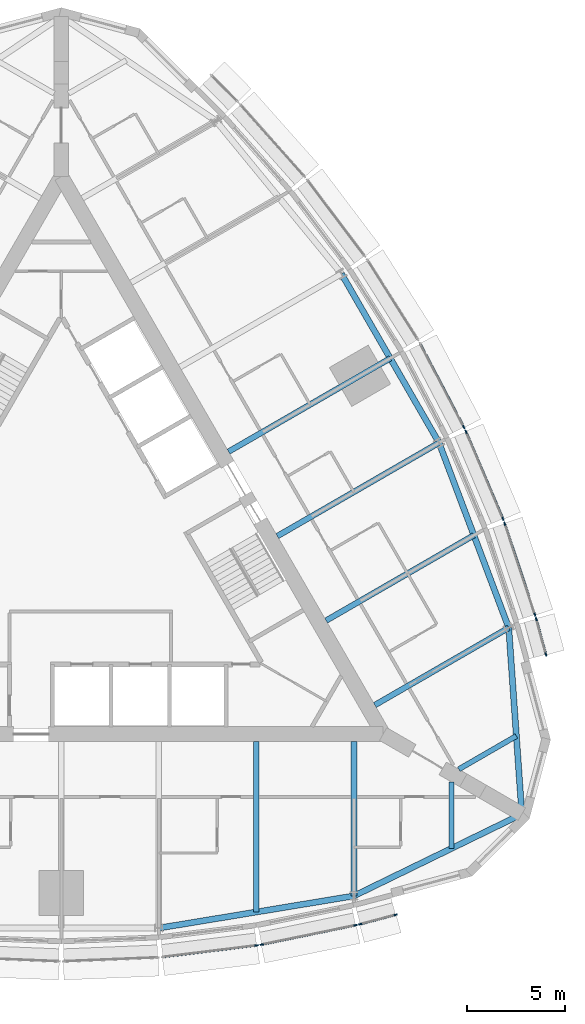
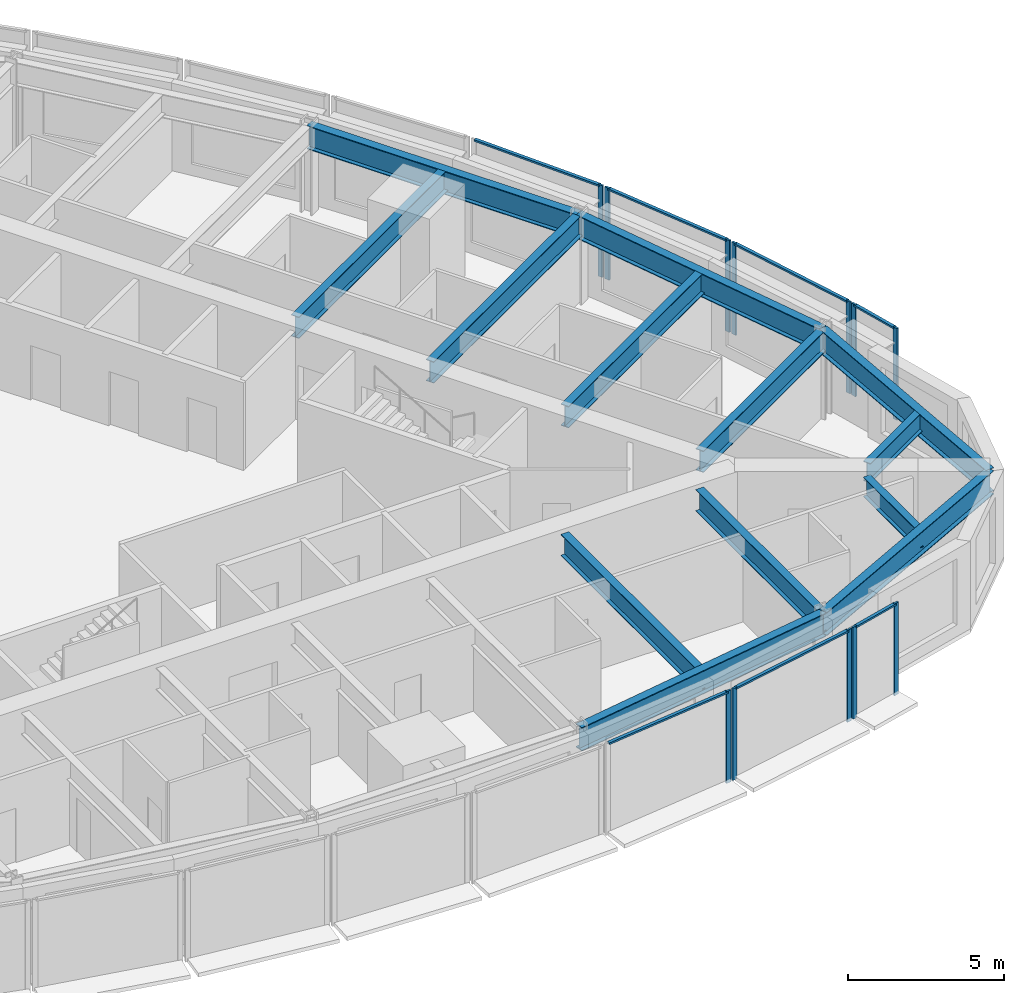
# One storey, part 4 of 15: 19 members, 13 beams, 7 elements without a shape of their own.
"""IFC4 building model written with IfcOpenShell, lengths in metres."""

from ifc_helpers import new_model, si_unit, direction, frame, origin, origin_2d, place, context, subcontext, project, spatial, rectangle, i_section, extrude, material, material_profile, profile_set, type_object, element, aggregate, save


model = new_model("IFC4")

# Units and contexts
model_context = context("Model", 3, precision=1e-05, world=origin(), true_north=direction((0.0, 1.0)))
body_context = subcontext(model_context, "Body", "Model", "MODEL_VIEW")
ifc_project = project(units=[si_unit("LENGTHUNIT", "METRE"), si_unit("AREAUNIT", "SQUARE_METRE"), si_unit("VOLUMEUNIT", "CUBIC_METRE"), si_unit("PLANEANGLEUNIT", "RADIAN"), si_unit("MASSUNIT", "GRAM", prefix="KILO")], contexts=[model_context])

# Site, building, storey
site_placement = place(None, origin())
site = spatial("IfcSite", under=ifc_project, at=site_placement, CompositionType="ELEMENT")
building_placement = place(site_placement, origin())
building = spatial("IfcBuilding", under=site, at=building_placement, Name="Trikona Tower", CompositionType="ELEMENT")
storey_placement = place(building_placement, frame((0.0, 0.0, 208.10009765625)))
storey = spatial("IfcBuildingStorey", under=building, at=storey_placement, Name="L55", CompositionType="ELEMENT", Elevation=208.10009765625)

# Curtain wall, member
ifc_material_1 = material(Name="Aluminium curtain wall system", Category="aluminium")
curtain_wall_type = type_object("IfcCurtainWallType", Name="Curtain wall DS3", PredefinedType="NOTDEFINED", material=ifc_material_1)
curtain_wall_1_placement = place(storey_placement, origin())
curtain_wall_1 = element("IfcCurtainWall", 1, at=curtain_wall_1_placement, inside=storey, type_object=curtain_wall_type, Name="Curtain wall DS3 L55", PredefinedType="NOTDEFINED")
ifc_material_2 = material(Name="Aluminium mullion, pale anodised", Category="aluminium")
ifc_material_profile_1 = material_profile(ifc_material_2, rectangle(XDim=0.070068359375, YDim=0.179931640625, at=origin_2d()), Name="MUL-DS3")
ifc_profile_set_1 = profile_set([ifc_material_profile_1], Name="Aluminium mullion, pale anodised")
member_type_1 = type_object("IfcMemberType", Name="Mullion DS3 70x180", PredefinedType="MULLION", material=ifc_profile_set_1)
member_1_placement = place(storey_placement, frame((10.01611328125, -20.359130859375, 0.0), z_axis=(0.0, 0.0, 1.0), x_axis=(-0.122610640458, 0.992454850785, 0.0)))
member_1 = element("IfcMember", 2, at=member_1_placement, type_object=member_type_1, Name="CW-DS3 mullion 2", PredefinedType="MULLION", context=body_context, shape_type="SweptSolid", body=[
    extrude(rectangle(XDim=0.070068359375, YDim=0.179931640625, at=origin_2d()), origin(), (0.0, 0.0, 1.0), 3.599853515625),
])

# Curtain wall, members
curtain_wall_2_placement = place(storey_placement, origin())
curtain_wall_2 = element("IfcCurtainWall", 3, at=curtain_wall_2_placement, inside=storey, type_object=curtain_wall_type, Name="Curtain wall DS3 L55", PredefinedType="NOTDEFINED")
member_2_placement = place(storey_placement, frame((10.274658203125, -20.316650390625, 0.0), z_axis=(0.0, 0.0, 1.0), x_axis=(-0.201652920672, 0.979457043256, 0.0)))
member_2 = element("IfcMember", 4, at=member_2_placement, type_object=member_type_1, Name="CW-DS3 mullion 1", PredefinedType="MULLION", context=body_context, shape_type="SweptSolid", body=[
    extrude(rectangle(XDim=0.070068359375, YDim=0.179931640625, at=origin_2d()), origin(), (0.0, 0.0, 1.0), 3.599853515625),
])
member_3_placement = place(storey_placement, frame((15.08837890625, -19.325439453125, 0.0), z_axis=(0.0, 0.0, 1.0), x_axis=(-0.201652920672, 0.979457043256, 0.0)))
member_3 = element("IfcMember", 5, at=member_3_placement, type_object=member_type_1, Name="CW-DS3 mullion 2", PredefinedType="MULLION", context=body_context, shape_type="SweptSolid", body=[
    extrude(rectangle(XDim=0.070068359375, YDim=0.179931640625, at=origin_2d()), origin(), (0.0, 0.0, 1.0), 3.599853515625),
])

curtain_wall_3_placement = place(storey_placement, origin())
curtain_wall_3 = element("IfcCurtainWall", 6, at=curtain_wall_3_placement, inside=storey, type_object=curtain_wall_type, Name="Curtain wall DS3 L55", PredefinedType="NOTDEFINED")
member_4_placement = place(storey_placement, frame((15.321044921875, -19.27099609375, 0.0), z_axis=(0.0, 0.0, 1.0), x_axis=(-0.25478635579, 0.966997369647, 0.0)))
member_4 = element("IfcMember", 7, at=member_4_placement, type_object=member_type_1, Name="CW-DS3 mullion 1", PredefinedType="MULLION", context=body_context, shape_type="SweptSolid", body=[
    extrude(rectangle(XDim=0.070068359375, YDim=0.179931640625, at=origin_2d()), origin(), (0.0, 0.0, 1.0), 3.599853515625),
])
member_5_placement = place(storey_placement, frame((17.137451171875, -18.79248046875, 0.0), z_axis=(0.0, 0.0, 1.0), x_axis=(-0.25478635579, 0.966997369647, 0.0)))
member_5 = element("IfcMember", 8, at=member_5_placement, type_object=member_type_1, Name="CW-DS3 mullion 2", PredefinedType="MULLION", context=body_context, shape_type="SweptSolid", body=[
    extrude(rectangle(XDim=0.070068359375, YDim=0.179931640625, at=origin_2d()), origin(), (0.0, 0.0, 1.0), 3.599853515625),
])

curtain_wall_4_placement = place(storey_placement, origin())
curtain_wall_4 = element("IfcCurtainWall", 9, at=curtain_wall_4_placement, inside=storey, type_object=curtain_wall_type, Name="Curtain wall DS3 L55", PredefinedType="NOTDEFINED")
member_6_placement = place(storey_placement, frame((24.843505859375, -5.4453125, 0.0), z_axis=(0.0, 0.0, 1.0), x_axis=(-0.964838403494, -0.262843784676, 0.0)))
member_6 = element("IfcMember", 10, at=member_6_placement, type_object=member_type_1, Name="CW-DS3 mullion 1", PredefinedType="MULLION", context=body_context, shape_type="SweptSolid", body=[
    extrude(rectangle(XDim=0.070068359375, YDim=0.179931640625, at=origin_2d()), origin(), (0.0, 0.0, 1.0), 3.599853515625),
])
member_7_placement = place(storey_placement, frame((24.349609375, -3.633056640625, 0.0), z_axis=(0.0, 0.0, 1.0), x_axis=(-0.964838403494, -0.262843784676, 0.0)))
member_7 = element("IfcMember", 11, at=member_7_placement, type_object=member_type_1, Name="CW-DS3 mullion 2", PredefinedType="MULLION", context=body_context, shape_type="SweptSolid", body=[
    extrude(rectangle(XDim=0.070068359375, YDim=0.179931640625, at=origin_2d()), origin(), (0.0, 0.0, 1.0), 3.599853515625),
])

curtain_wall_5_placement = place(storey_placement, origin())
curtain_wall_5 = element("IfcCurtainWall", 12, at=curtain_wall_5_placement, inside=storey, type_object=curtain_wall_type, Name="Curtain wall DS3 L55", PredefinedType="NOTDEFINED")
member_8_placement = place(storey_placement, frame((24.280517578125, -3.404296875, 0.0), z_axis=(0.0, 0.0, 1.0), x_axis=(-0.949065766708, -0.315078038687, 0.0)))
member_8 = element("IfcMember", 13, at=member_8_placement, type_object=member_type_1, Name="CW-DS3 mullion 1", PredefinedType="MULLION", context=body_context, shape_type="SweptSolid", body=[
    extrude(rectangle(XDim=0.070068359375, YDim=0.179931640625, at=origin_2d()), origin(), (0.0, 0.0, 1.0), 3.599853515625),
])
member_9_placement = place(storey_placement, frame((22.73193359375, 1.26025390625, 0.0), z_axis=(0.0, 0.0, 1.0), x_axis=(-0.949065766708, -0.315078038687, 0.0)))
member_9 = element("IfcMember", 14, at=member_9_placement, type_object=member_type_1, Name="CW-DS3 mullion 2", PredefinedType="MULLION", context=body_context, shape_type="SweptSolid", body=[
    extrude(rectangle(XDim=0.070068359375, YDim=0.179931640625, at=origin_2d()), origin(), (0.0, 0.0, 1.0), 3.599853515625),
])

curtain_wall_6_placement = place(storey_placement, origin())
curtain_wall_6 = element("IfcCurtainWall", 15, at=curtain_wall_6_placement, inside=storey, type_object=curtain_wall_type, Name="Curtain wall DS3 L55", PredefinedType="NOTDEFINED")
member_10_placement = place(storey_placement, frame((22.6396484375, 1.50537109375, 0.0), z_axis=(0.0, 0.0, 1.0), x_axis=(-0.920792322808, -0.390053199266, 0.0)))
member_10 = element("IfcMember", 16, at=member_10_placement, type_object=member_type_1, Name="CW-DS3 mullion 1", PredefinedType="MULLION", context=body_context, shape_type="SweptSolid", body=[
    extrude(rectangle(XDim=0.070068359375, YDim=0.179931640625, at=origin_2d()), origin(), (0.0, 0.0, 1.0), 3.599853515625),
])
member_11_placement = place(storey_placement, frame((20.74853515625, 5.969482421875, 0.0), z_axis=(0.0, 0.0, 1.0), x_axis=(-0.920792322808, -0.390053199266, 0.0)))
member_11 = element("IfcMember", 17, at=member_11_placement, type_object=member_type_1, Name="CW-DS3 mullion 2", PredefinedType="MULLION", context=body_context, shape_type="SweptSolid", body=[
    extrude(rectangle(XDim=0.070068359375, YDim=0.179931640625, at=origin_2d()), origin(), (0.0, 0.0, 1.0), 3.599853515625),
])

# Curtain wall, member
curtain_wall_7_placement = place(storey_placement, origin())
curtain_wall_7 = element("IfcCurtainWall", 18, at=curtain_wall_7_placement, inside=storey, type_object=curtain_wall_type, Name="Curtain wall DS3 L55", PredefinedType="NOTDEFINED")
member_12_placement = place(storey_placement, frame((20.635986328125, 6.20751953125, 0.0), z_axis=(0.0, 0.0, 1.0), x_axis=(-0.885862390527, -0.463948084434, 0.0)))
member_12 = element("IfcMember", 19, at=member_12_placement, type_object=member_type_1, Name="CW-DS3 mullion 1", PredefinedType="MULLION", context=body_context, shape_type="SweptSolid", body=[
    extrude(rectangle(XDim=0.070068359375, YDim=0.179931640625, at=origin_2d()), origin(), (0.0, 0.0, 1.0), 3.599853515625),
])

# Beams
ifc_material_3 = material(Name="Steel ASTM A992 Grade 50", Category="steel")
ifc_material_profile_2 = material_profile(ifc_material_3, i_section(OverallWidth=0.2666015625, OverallDepth=0.76953125, WebThickness=0.015625, FlangeThickness=0.025390625, at=origin_2d()), Name="W30X132")
ifc_profile_set_2 = profile_set([ifc_material_profile_2], Name="Steel ASTM A992 Grade 50")
beam_type_1 = type_object("IfcBeamType", Name="Steel beam W30x132 (wedge)", PredefinedType="BEAM", material=ifc_profile_set_2)
beam_1_placement = place(storey_placement, frame((20.0, -11.97998046875, 3.050048828125), z_axis=(0.0, -1.0, 0.0), x_axis=(1.0, 0.0, 0.0)))
element("IfcBeam", 20, at=beam_1_placement, inside=storey, type_object=beam_type_1, Name="Floor beam L56 F1 u20", PredefinedType="BEAM", context=body_context, shape_type="SweptSolid", body=[
    extrude(i_section(OverallWidth=0.2666015625, OverallDepth=0.76953125, WebThickness=0.015625, FlangeThickness=0.025390625, at=origin_2d()), origin(), (0.0, 0.0, 1.0), 3.40966796875),
])
beam_2_placement = place(storey_placement, frame((20.375, -11.33056640625, 3.050048828125), z_axis=(0.865995995653, 0.500050932918, 0.0), x_axis=(-0.500050932918, 0.865995995653, 0.0)))
element("IfcBeam", 21, at=beam_2_placement, inside=storey, type_object=beam_type_1, Name="Floor beam L56 F2 u-20", PredefinedType="BEAM", context=body_context, shape_type="SweptSolid", body=[
    extrude(i_section(OverallWidth=0.2666015625, OverallDepth=0.76953125, WebThickness=0.015625, FlangeThickness=0.025390625, at=origin_2d()), origin(), (0.0, 0.0, 1.0), 3.409912109375),
])
ifc_material_4 = material(Name="Steel ASTM A992 Grade 50", Category="steel")
ifc_material_profile_3 = material_profile(ifc_material_4, i_section(OverallWidth=0.2919921875, OverallDepth=0.845703125, WebThickness=0.015380859375, FlangeThickness=0.0244140625, at=origin_2d()), Name="W33X141")
ifc_profile_set_3 = profile_set([ifc_material_profile_3], Name="Steel ASTM A992 Grade 50")
beam_type_2 = type_object("IfcBeamType", Name="Steel beam W33x141 (radial typ)", PredefinedType="BEAM", material=ifc_profile_set_3)
beam_3_placement = place(storey_placement, frame((10.0, -9.9013671875, 3.011962890625), z_axis=(0.0, -1.0, 0.0), x_axis=(1.0, 0.0, 0.0)))
element("IfcBeam", 22, at=beam_3_placement, inside=storey, type_object=beam_type_2, Name="Floor beam L56 F1 u10", PredefinedType="BEAM", context=body_context, shape_type="SweptSolid", body=[
    extrude(i_section(OverallWidth=0.2919921875, OverallDepth=0.845703125, WebThickness=0.015380859375, FlangeThickness=0.0244140625, at=origin_2d()), origin(), (0.0, 0.0, 1.0), 8.7470703125),
])
for number, where, z_axis, x_axis, name in (
    (23, (15.0, -9.9013671875, 3.011962890625), (0.0, -1.0, 0.0), (1.0, 0.0, 0.0), "Floor beam L56 F1 u15"),
    (24, (16.07470703125, -8.039794921875, 3.011962890625), (0.866019853763, 0.500009612796, 0.0), (-0.500009612796, 0.866019853763, 0.0), "Floor beam L56 F2 u-15"),
):
    element("IfcBeam", number, at=place(storey_placement, frame(where, z_axis=z_axis, x_axis=x_axis)), inside=storey, type_object=beam_type_2, Name=name, PredefinedType="BEAM", context=body_context, shape_type="SweptSolid", body=[
        extrude(i_section(OverallWidth=0.2919921875, OverallDepth=0.845703125, WebThickness=0.015380859375, FlangeThickness=0.0244140625, at=origin_2d()), origin(), (0.0, 0.0, 1.0), 7.923583984375),
    ])
beam_4_placement = place(storey_placement, frame((13.57470703125, -3.709716796875, 3.011962890625), z_axis=(0.866013609749, 0.500020427312, 0.0), x_axis=(-0.500020427312, 0.866013609749, 0.0)))
element("IfcBeam", 25, at=beam_4_placement, inside=storey, type_object=beam_type_2, Name="Floor beam L56 F2 u-10", PredefinedType="BEAM", context=body_context, shape_type="SweptSolid", body=[
    extrude(i_section(OverallWidth=0.2919921875, OverallDepth=0.845703125, WebThickness=0.015380859375, FlangeThickness=0.0244140625, at=origin_2d()), origin(), (0.0, 0.0, 1.0), 8.747314453125),
])
for number, where, z_axis, x_axis, name in (
    (26, (11.07470703125, 0.62060546875, 3.011962890625), (0.866025863714, 0.499999203377, 0.0), (-0.499999203377, 0.866025863714, 0.0), "Floor beam L56 F2 u-5"),
    (27, (8.57470703125, 4.95068359375, 3.011962890625), (0.866025863714, 0.499999203377, 0.0), (-0.499999203377, 0.866025863714, 0.0), "Floor beam L56 F2 u0"),
):
    element("IfcBeam", number, at=place(storey_placement, frame(where, z_axis=z_axis, x_axis=x_axis)), inside=storey, type_object=beam_type_2, Name=name, PredefinedType="BEAM", context=body_context, shape_type="SweptSolid", body=[
        extrude(i_section(OverallWidth=0.2919921875, OverallDepth=0.845703125, WebThickness=0.015380859375, FlangeThickness=0.0244140625, at=origin_2d()), origin(), (0.0, 0.0, 1.0), 9.57080078125),
    ])
ifc_material_5 = material(Name="Steel ASTM A992 Grade 50", Category="steel")
ifc_material_profile_4 = material_profile(ifc_material_5, i_section(OverallWidth=0.307373046875, OverallDepth=0.922119140625, WebThickness=0.018310546875, FlangeThickness=0.030029296875, at=origin_2d()), Name="W36X182")
ifc_profile_set_4 = profile_set([ifc_material_profile_4], Name="Steel ASTM A992 Grade 50")
beam_type_3 = type_object("IfcBeamType", Name="Steel beam W36x182 (spandrel mid)", PredefinedType="SPANDREL", material=ifc_profile_set_4)
beam_5_placement = place(storey_placement, frame((5.0, -19.471923828125, 2.973876953125), z_axis=(0.986707228918, 0.162507982575, 0.0), x_axis=(-0.162507982575, 0.986707228918, 0.0)))
element("IfcBeam", 28, at=beam_5_placement, inside=storey, type_object=beam_type_3, Name="Spandrel beam L56 F1-4", PredefinedType="SPANDREL", context=body_context, shape_type="SweptSolid", body=[
    extrude(i_section(OverallWidth=0.307373046875, OverallDepth=0.922119140625, WebThickness=0.018310546875, FlangeThickness=0.030029296875, at=origin_2d()), origin(), (0.0, 0.0, 1.0), 10.134765625),
])
beam_6_placement = place(storey_placement, frame((15.0, -17.824951171875, 2.973876953125), z_axis=(0.899038503257, 0.437869580652, 0.0), x_axis=(-0.437869580652, 0.899038503257, 0.0)))
element("IfcBeam", 29, at=beam_6_placement, inside=storey, type_object=beam_type_3, Name="Spandrel beam L56 F1-5", PredefinedType="SPANDREL", context=body_context, shape_type="SweptSolid", body=[
    extrude(i_section(OverallWidth=0.307373046875, OverallDepth=0.922119140625, WebThickness=0.018310546875, FlangeThickness=0.030029296875, at=origin_2d()), origin(), (0.0, 0.0, 1.0), 9.577392578125),
])
beam_7_placement = place(storey_placement, frame((23.6103515625, -13.63134765625, 2.973876953125), z_axis=(-0.07033215835, 0.997523627541, 0.0), x_axis=(-0.997523627541, -0.07033215835, 0.0)))
element("IfcBeam", 30, at=beam_7_placement, inside=storey, type_object=beam_type_3, Name="Spandrel beam L56 F2-1", PredefinedType="SPANDREL", context=body_context, shape_type="SweptSolid", body=[
    extrude(i_section(OverallWidth=0.307373046875, OverallDepth=0.922119140625, WebThickness=0.018310546875, FlangeThickness=0.030029296875, at=origin_2d()), origin(), (0.0, 0.0, 1.0), 9.5771484375),
])
beam_8_placement = place(storey_placement, frame((22.936767578125, -4.077880859375, 2.973876953125), z_axis=(-0.352596088442, 0.935775613283, 0.0), x_axis=(-0.935775613283, -0.352596088442, 0.0)))
element("IfcBeam", 31, at=beam_8_placement, inside=storey, type_object=beam_type_3, Name="Spandrel beam L56 F2-2", PredefinedType="SPANDREL", context=body_context, shape_type="SweptSolid", body=[
    extrude(i_section(OverallWidth=0.307373046875, OverallDepth=0.922119140625, WebThickness=0.018310546875, FlangeThickness=0.030029296875, at=origin_2d()), origin(), (0.0, 0.0, 1.0), 10.134765625),
])
beam_9_placement = place(storey_placement, frame((19.36328125, 5.406005859375, 2.973876953125), z_axis=(-0.500004234368, 0.866022959057, 0.0), x_axis=(-0.866022959057, -0.500004234368, 0.0)))
element("IfcBeam", 32, at=beam_9_placement, inside=storey, type_object=beam_type_3, Name="Spandrel beam L56 F2-3", PredefinedType="SPANDREL", context=body_context, shape_type="SweptSolid", body=[
    extrude(i_section(OverallWidth=0.307373046875, OverallDepth=0.922119140625, WebThickness=0.018310546875, FlangeThickness=0.030029296875, at=origin_2d()), origin(), (0.0, 0.0, 1.0), 10.0),
])

# Member
ifc_material_6 = material(Name="Aluminium transom, pale anodised", Category="aluminium")
ifc_material_profile_5 = material_profile(ifc_material_6, rectangle(XDim=0.1201171875, YDim=0.070068359375, at=origin_2d()), Name="TRN-DS3")
ifc_profile_set_5 = profile_set([ifc_material_profile_5], Name="Aluminium transom, pale anodised")
member_type_2 = type_object("IfcMemberType", Name="Transom DS3 70x120", PredefinedType="USERDEFINED", material=ifc_profile_set_5)
member_13_placement = place(storey_placement, frame((5.2392578125, -20.94921875, 3.56494140625), z_axis=(0.992459172161, 0.122575656611, 0.0), x_axis=(-0.122575656611, 0.992459172161, 0.0)))
member_13 = element("IfcMember", 33, at=member_13_placement, type_object=member_type_2, Name="CW-DS3 transom 1.1", ObjectType="TRANSOM", PredefinedType="USERDEFINED", context=body_context, shape_type="SweptSolid", body=[
    extrude(rectangle(XDim=0.1201171875, YDim=0.070068359375, at=origin_2d()), origin(), (0.0, 0.0, 1.0), 4.7783203125),
])

aggregate(curtain_wall_1, [member_1, member_13])

member_14_placement = place(storey_placement, frame((10.308837890625, -20.3095703125, 3.56494140625), z_axis=(0.979454408611, 0.201665717099, 0.0), x_axis=(-0.201665717099, 0.979454408611, 0.0)))
member_14 = element("IfcMember", 34, at=member_14_placement, type_object=member_type_2, Name="CW-DS3 transom 1.1", ObjectType="TRANSOM", PredefinedType="USERDEFINED", context=body_context, shape_type="SweptSolid", body=[
    extrude(rectangle(XDim=0.1201171875, YDim=0.070068359375, at=origin_2d()), origin(), (0.0, 0.0, 1.0), 4.844970703125),
])

aggregate(curtain_wall_2, [member_2, member_3, member_14])

member_15_placement = place(storey_placement, frame((15.35498046875, -19.261962890625, 3.56494140625), z_axis=(0.966999290683, 0.254779064719, 0.0), x_axis=(-0.254779064719, 0.966999290683, 0.0)))
member_15 = element("IfcMember", 35, at=member_15_placement, type_object=member_type_2, Name="CW-DS3 transom 1.1", ObjectType="TRANSOM", PredefinedType="USERDEFINED", context=body_context, shape_type="SweptSolid", body=[
    extrude(rectangle(XDim=0.1201171875, YDim=0.070068359375, at=origin_2d()), origin(), (0.0, 0.0, 1.0), 1.80810546875),
])

aggregate(curtain_wall_3, [member_4, member_5, member_15])

member_16_placement = place(storey_placement, frame((24.834228515625, -5.41162109375, 3.56494140625), z_axis=(-0.262843243155, 0.964838551017, 0.0), x_axis=(-0.964838551017, -0.262843243155, 0.0)))
member_16 = element("IfcMember", 36, at=member_16_placement, type_object=member_type_2, Name="CW-DS3 transom 1.1", ObjectType="TRANSOM", PredefinedType="USERDEFINED", context=body_context, shape_type="SweptSolid", body=[
    extrude(rectangle(XDim=0.1201171875, YDim=0.070068359375, at=origin_2d()), origin(), (0.0, 0.0, 1.0), 1.808349609375),
])

aggregate(curtain_wall_4, [member_6, member_7, member_16])

member_17_placement = place(storey_placement, frame((24.26953125, -3.370849609375, 3.56494140625), z_axis=(-0.315063426034, 0.949070617802, 0.0), x_axis=(-0.949070617802, -0.315063426034, 0.0)))
member_17 = element("IfcMember", 37, at=member_17_placement, type_object=member_type_2, Name="CW-DS3 transom 1.1", ObjectType="TRANSOM", PredefinedType="USERDEFINED", context=body_context, shape_type="SweptSolid", body=[
    extrude(rectangle(XDim=0.1201171875, YDim=0.070068359375, at=origin_2d()), origin(), (0.0, 0.0, 1.0), 4.8447265625),
])

aggregate(curtain_wall_5, [member_8, member_9, member_17])

member_18_placement = place(storey_placement, frame((22.6259765625, 1.53759765625, 3.56494140625), z_axis=(-0.390061662668, 0.920788737614, 0.0), x_axis=(-0.920788737614, -0.390061662668, 0.0)))
member_18 = element("IfcMember", 38, at=member_18_placement, type_object=member_type_2, Name="CW-DS3 transom 1.1", ObjectType="TRANSOM", PredefinedType="USERDEFINED", context=body_context, shape_type="SweptSolid", body=[
    extrude(rectangle(XDim=0.1201171875, YDim=0.070068359375, at=origin_2d()), origin(), (0.0, 0.0, 1.0), 4.778076171875),
])

aggregate(curtain_wall_6, [member_10, member_11, member_18])

member_19_placement = place(storey_placement, frame((20.61962890625, 6.238525390625, 3.56494140625), z_axis=(-0.463910848027, 0.885881891158, 0.0), x_axis=(-0.885881891158, -0.463910848027, 0.0)))
member_19 = element("IfcMember", 39, at=member_19_placement, type_object=member_type_2, Name="CW-DS3 transom 1.1", ObjectType="TRANSOM", PredefinedType="USERDEFINED", context=body_context, shape_type="SweptSolid", body=[
    extrude(rectangle(XDim=0.1201171875, YDim=0.070068359375, at=origin_2d()), origin(), (0.0, 0.0, 1.0), 4.744384765625),
])

aggregate(curtain_wall_7, [member_12, member_19])

save(model, "model.ifc")
